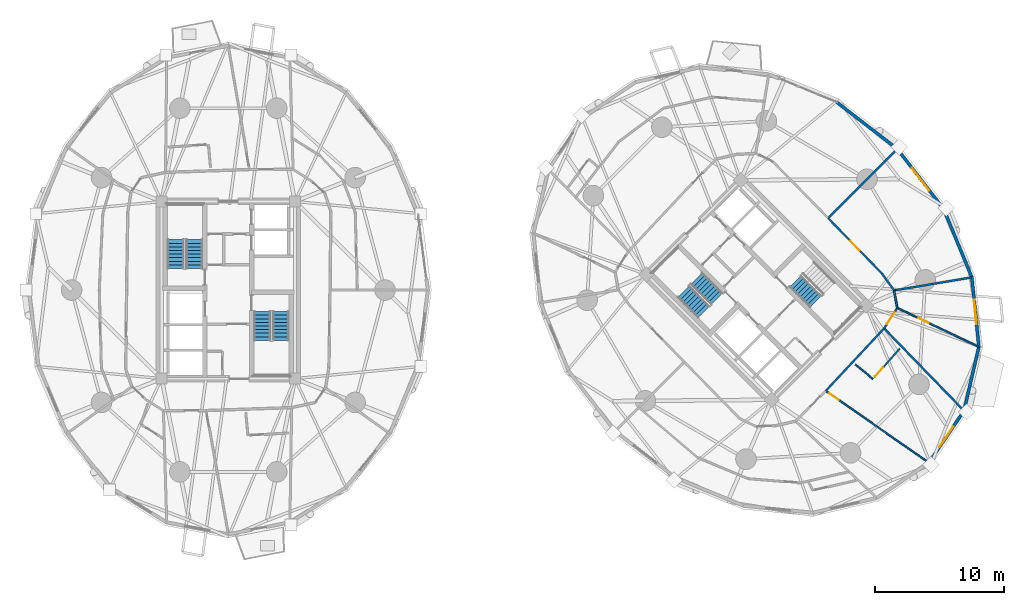
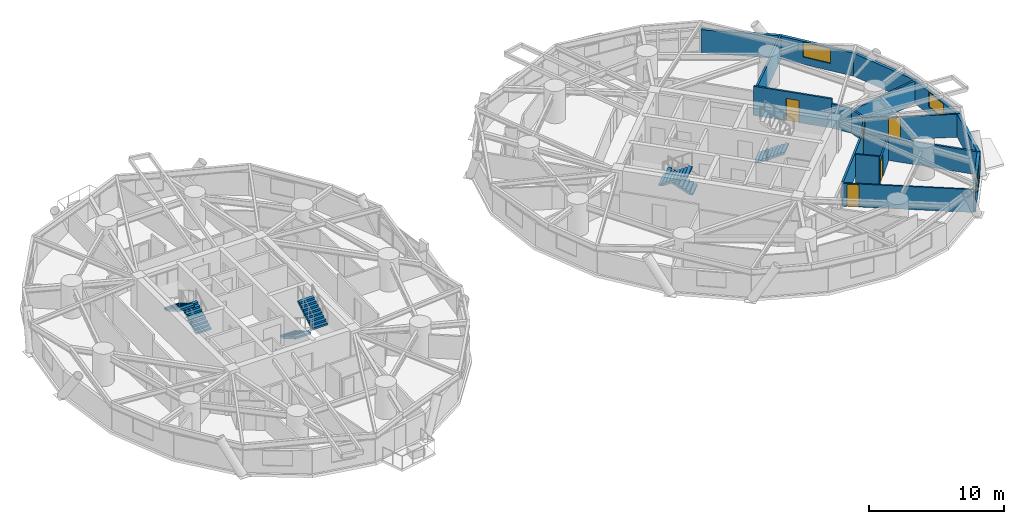
# One storey, part 16 of 20: 18 walls, 7 stair flights, 5 doors, 3 windows, 8 openings, 4 elements without a shape of their own.
"""IFC4 building model written with IfcOpenShell, lengths in metres."""

from ifc_helpers import new_model, si_unit, direction, frame, frame_2d, origin, place, context, subcontext, project, spatial, polyline, rectangle, outline, extrude, source, transform, mapped, material, layer, layer_set, type_object, element, fill, aggregate, save


model = new_model("IFC4")

# Units and contexts
model_context = context("Model", 3, precision=1e-05, world=origin(), true_north=direction((0.0, 1.0)))
body_context = subcontext(model_context, "Body", "Model", "MODEL_VIEW")
ifc_project = project(units=[si_unit("LENGTHUNIT", "METRE"), si_unit("AREAUNIT", "SQUARE_METRE"), si_unit("VOLUMEUNIT", "CUBIC_METRE"), si_unit("PLANEANGLEUNIT", "RADIAN"), si_unit("MASSUNIT", "GRAM", prefix="KILO")], contexts=[model_context])

# Site, building, storey
site_placement = place(None, origin())
site = spatial("IfcSite", under=ifc_project, at=site_placement, CompositionType="ELEMENT")
building_placement = place(site_placement, origin())
building = spatial("IfcBuilding", under=site, at=building_placement, Name="Cununo Teusaquillo Station Towers", CompositionType="ELEMENT")
storey_placement = place(building_placement, frame((0.0, 0.0, 39.4599609375)))
storey = spatial("IfcBuildingStorey", under=building, at=storey_placement, Name="L11", CompositionType="ELEMENT", Elevation=39.4599609375)

# Wall
ifc_material_1 = material(Name="Precast concrete C40/50", Category="concrete")
ifc_layer_1 = layer(ifc_material_1, 0.239990234375)
ifc_layer_set_1 = layer_set([ifc_layer_1], Name="Precast concrete C40/50")
wall_type_1 = type_object("IfcWallType", Name="WL-EXT-240", PredefinedType="SOLIDWALL", material=ifc_layer_set_1)
wall_1_placement = place(storey_placement, frame((63.77783203125, 39.068115234375, 0.0), z_axis=(0.0, 0.0, 1.0), x_axis=(0.792020182601, -0.610494906082, 0.0)))
element("IfcWall", 1, at=wall_1_placement, inside=storey, type_object=wall_type_1, Name="L11 Tower B Exterior Facade Wall C00", PredefinedType="SOLIDWALL", context=body_context, shape_type="SweptSolid", body=[
    extrude(rectangle(XDim=5.9111328125, YDim=0.239990234375, at=frame_2d((2.95556640625, 0.0))), origin(), (0.0, 0.0, 1.0), 2.072998046875),
])

# Wall, opening, window
wall_2_placement = place(storey_placement, frame((73.64404296875, 15.12939453125, 0.0), z_axis=(0.0, 0.0, 1.0), x_axis=(-0.559621532896, -0.828748297084, 0.0)))
wall_2 = element("IfcWall", 2, at=wall_2_placement, inside=storey, type_object=wall_type_1, Name="L11 Tower B Exterior Facade Wall C15", PredefinedType="SOLIDWALL", context=body_context, shape_type="SweptSolid", body=[
    extrude(rectangle(XDim=4.878662109375, YDim=0.239990234375, at=frame_2d((2.439453125, 0.0))), origin(), (0.0, 0.0, 1.0), 2.072998046875),
])
shared_shape_1 = source(origin(), body_context, "Body", "SweptSolid", [
    extrude(rectangle(XDim=1.89990234375, YDim=1.35009765625, at=frame_2d((0.949951171875, 0.675048828125))), frame((0.0, 0.1298828125, 0.0), z_axis=(0.0, -1.0, 0.0), x_axis=(1.0, 0.0, 0.0)), (0.0, 0.0, 1.0), 0.260009765625),
])
opening_1_placement = place(wall_2_placement, frame((1.489013671875, 0.0, 0.64990234375)))
opening_1 = element("IfcOpeningElement", 3, at=opening_1_placement, cuts=wall_2, Name="Opening WN-02", PredefinedType="OPENING", context=body_context, shape_type="MappedRepresentation", body=[
    mapped(shared_shape_1, transform((0.0, 0.0, 0.0), x_axis=(1.0, 0.0, 0.0), y_axis=(0.0, 1.0, 0.0), z_axis=(0.0, 0.0, 1.0), scale=1.0)),
])
ifc_material_2 = material(Name="Operable acoustic tinted low-E double glazing", Category="glass")
window_type_1 = type_object("IfcWindowType", Name="WIN-OPER-1900", PartitioningType="DOUBLE_PANEL_VERTICAL", PredefinedType="WINDOW", material=ifc_material_2)
shared_shape_2 = source(origin(), body_context, "Body", "SweptSolid", [
    extrude(rectangle(XDim=1.89990234375, YDim=1.35009765625, at=frame_2d((0.949951171875, 0.675048828125))), frame((0.0, 0.030029296875, 0.0), z_axis=(0.0, -1.0, 0.0), x_axis=(1.0, 0.0, 0.0)), (0.0, 0.0, 1.0), 0.06005859375),
])
window_1_placement = place(opening_1_placement, origin())
window_1 = element("IfcWindow", 4, at=window_1_placement, inside=storey, type_object=window_type_1, Name="L11 Tower B Facade Window C15", OverallHeight=1.35009765625, OverallWidth=1.89990234375, PartitioningType="DOUBLE_PANEL_VERTICAL", PredefinedType="WINDOW", context=body_context, shape_type="MappedRepresentation", body=[
    mapped(shared_shape_2, transform((0.0, 0.0, 0.0), x_axis=(1.0, 0.0, 0.0), y_axis=(0.0, 1.0, 0.0), z_axis=(0.0, 0.0, 1.0), scale=1.0)),
])
fill(opening_1, window_1)

# Wall
wall_3_placement = place(storey_placement, frame((74.7939453125, 20.08984375, 0.0), z_axis=(0.0, 0.0, 1.0), x_axis=(-0.22582585901, -0.974167686491, 0.0)))
element("IfcWall", 5, at=wall_3_placement, inside=storey, type_object=wall_type_1, Name="L11 Tower B Exterior Facade Wall C16", PredefinedType="SOLIDWALL", context=body_context, shape_type="SweptSolid", body=[
    extrude(rectangle(XDim=5.092041015625, YDim=0.239990234375, at=frame_2d((2.5458984375, 0.0))), origin(), (0.0, 0.0, 1.0), 2.072998046875),
])

# Wall, opening, window
wall_4_placement = place(storey_placement, frame((74.2509765625, 25.48193359375, 0.0), z_axis=(0.0, 0.0, 1.0), x_axis=(0.100190592135, -0.994968263437, 0.0)))
wall_4 = element("IfcWall", 6, at=wall_4_placement, inside=storey, type_object=wall_type_1, Name="L11 Tower B Exterior Facade Wall C17", PredefinedType="SOLIDWALL", context=body_context, shape_type="SweptSolid", body=[
    extrude(rectangle(XDim=5.41943359375, YDim=0.239990234375, at=frame_2d((2.709716796875, 0.0))), origin(), (0.0, 0.0, 1.0), 2.072998046875),
])
opening_2_placement = place(wall_4_placement, frame((1.760009765625, 0.0, 0.64990234375)))
opening_2 = element("IfcOpeningElement", 7, at=opening_2_placement, cuts=wall_4, Name="Opening WN-02", PredefinedType="OPENING", context=body_context, shape_type="MappedRepresentation", body=[
    mapped(shared_shape_1, transform((0.0, 0.0, 0.0), x_axis=(1.0, 0.0, 0.0), y_axis=(0.0, 1.0, 0.0), z_axis=(0.0, 0.0, 1.0), scale=1.0)),
])
window_2_placement = place(opening_2_placement, origin())
window_2 = element("IfcWindow", 8, at=window_2_placement, inside=storey, type_object=window_type_1, Name="L11 Tower B Facade Window C17", OverallHeight=1.35009765625, OverallWidth=1.89990234375, PartitioningType="DOUBLE_PANEL_VERTICAL", PredefinedType="WINDOW", context=body_context, shape_type="MappedRepresentation", body=[
    mapped(shared_shape_2, transform((0.0, 0.0, 0.0), x_axis=(1.0, 0.0, 0.0), y_axis=(0.0, 1.0, 0.0), z_axis=(0.0, 0.0, 1.0), scale=1.0)),
])
fill(opening_2, window_2)

# Wall
wall_5_placement = place(storey_placement, frame((72.068115234375, 30.77783203125, 0.0), z_axis=(0.0, 0.0, 1.0), x_axis=(0.381077764176, -0.924542988536, 0.0)))
element("IfcWall", 9, at=wall_5_placement, inside=storey, type_object=wall_type_1, Name="L11 Tower B Exterior Facade Wall C18", PredefinedType="SOLIDWALL", context=body_context, shape_type="SweptSolid", body=[
    extrude(rectangle(XDim=5.72802734375, YDim=0.239990234375, at=frame_2d((2.864013671875, 0.0))), origin(), (0.0, 0.0, 1.0), 2.072998046875),
])

# Wall, opening, window
wall_6_placement = place(storey_placement, frame((68.45947265625, 35.45947265625, 0.0), z_axis=(0.0, 0.0, 1.0), x_axis=(0.610494906082, -0.792020182601, 0.0)))
wall_6 = element("IfcWall", 10, at=wall_6_placement, inside=storey, type_object=wall_type_1, Name="L11 Tower B Exterior Facade Wall C19", PredefinedType="SOLIDWALL", context=body_context, shape_type="SweptSolid", body=[
    extrude(rectangle(XDim=5.9111328125, YDim=0.239990234375, at=frame_2d((2.95556640625, 0.0))), origin(), (0.0, 0.0, 1.0), 2.072998046875),
])
shared_shape_3 = source(origin(), body_context, "Body", "SweptSolid", [
    extrude(rectangle(XDim=2.199951171875, YDim=1.35009765625, at=frame_2d((1.10009765625, 0.675048828125))), frame((0.0, 0.1298828125, 0.0), z_axis=(0.0, -1.0, 0.0), x_axis=(1.0, 0.0, 0.0)), (0.0, 0.0, 1.0), 0.260009765625),
])
opening_3_placement = place(wall_6_placement, frame((1.85498046875, 0.0, 0.64990234375)))
opening_3 = element("IfcOpeningElement", 11, at=opening_3_placement, cuts=wall_6, Name="Opening WN-01", PredefinedType="OPENING", context=body_context, shape_type="MappedRepresentation", body=[
    mapped(shared_shape_3, transform((0.0, 0.0, 0.0), x_axis=(1.0, 0.0, 0.0), y_axis=(0.0, 1.0, 0.0), z_axis=(0.0, 0.0, 1.0), scale=1.0)),
])
ifc_material_3 = material(Name="Ceramic-fritted dark low-E double glazing", Category="glass")
window_type_2 = type_object("IfcWindowType", Name="WIN-FRIT-2200", PartitioningType="DOUBLE_PANEL_VERTICAL", PredefinedType="WINDOW", material=ifc_material_3)
shared_shape_4 = source(origin(), body_context, "Body", "SweptSolid", [
    extrude(rectangle(XDim=2.199951171875, YDim=1.35009765625, at=frame_2d((1.10009765625, 0.675048828125))), frame((0.0, 0.030029296875, 0.0), z_axis=(0.0, -1.0, 0.0), x_axis=(1.0, 0.0, 0.0)), (0.0, 0.0, 1.0), 0.06005859375),
])
window_3_placement = place(opening_3_placement, origin())
window_3 = element("IfcWindow", 12, at=window_3_placement, inside=storey, type_object=window_type_2, Name="L11 Tower B Facade Window C19", OverallHeight=1.35009765625, OverallWidth=2.199951171875, PartitioningType="DOUBLE_PANEL_VERTICAL", PredefinedType="WINDOW", context=body_context, shape_type="MappedRepresentation", body=[
    mapped(shared_shape_4, transform((0.0, 0.0, 0.0), x_axis=(1.0, 0.0, 0.0), y_axis=(0.0, 1.0, 0.0), z_axis=(0.0, 0.0, 1.0), scale=1.0)),
])
fill(opening_3, window_3)

# Wall, opening, door
ifc_material_4 = material(Name="Fire-rated gypsum plasterboard partition assembly", Category="gypsum")
ifc_layer_2 = layer(ifc_material_4, 0.125)
ifc_layer_set_2 = layer_set([ifc_layer_2], Name="Fire-rated gypsum plasterboard partition assembly")
wall_type_2 = type_object("IfcWallType", Name="WL-PART-125", PredefinedType="PARTITIONING", material=ifc_layer_set_2)
wall_7_placement = place(storey_placement, frame((62.902587890625, 16.66650390625, 0.0), z_axis=(0.0, 0.0, 1.0), x_axis=(0.820761665638, -0.571270766116, 0.0)))
wall_7 = element("IfcWall", 13, at=wall_7_placement, inside=storey, type_object=wall_type_2, Name="L11 Tower B Governor Hospitality Suite Suite Subdividing Wall", PredefinedType="PARTITIONING", context=body_context, shape_type="SweptSolid", body=[
    extrude(rectangle(XDim=9.743408203125, YDim=0.125, at=frame_2d((4.87158203125, 0.0))), origin(), (0.0, 0.0, 1.0), 2.072998046875),
])
shared_shape_5 = source(origin(), body_context, "Body", "SweptSolid", [
    extrude(rectangle(XDim=0.89990234375, YDim=2.0048828125, at=frame_2d((0.449951171875, 1.00244140625))), frame((0.0, 0.072509765625, 0.0), z_axis=(0.0, -1.0, 0.0), x_axis=(1.0, 0.0, 0.0)), (0.0, 0.0, 1.0), 0.14501953125),
])
opening_4_placement = place(wall_7_placement, frame((0.330078125, 0.0, 0.0)))
opening_4 = element("IfcOpeningElement", 14, at=opening_4_placement, cuts=wall_7, Name="Opening D-IN1", PredefinedType="OPENING", context=body_context, shape_type="MappedRepresentation", body=[
    mapped(shared_shape_5, transform((0.0, 0.0, 0.0), x_axis=(1.0, 0.0, 0.0), y_axis=(0.0, 1.0, 0.0), z_axis=(0.0, 0.0, 1.0), scale=1.0)),
])
ifc_material_5 = material(Name="Acoustic solid-core hardwood leaf assembly", Category="wood")
door_type_1 = type_object("IfcDoorType", Name="DR-INT-900", OperationType="NOTDEFINED", PredefinedType="DOOR", material=ifc_material_5)
shared_shape_6 = source(origin(), body_context, "Body", "SweptSolid", [
    extrude(rectangle(XDim=0.89990234375, YDim=2.0048828125, at=frame_2d((0.449951171875, 1.00244140625))), frame((0.0, 0.02490234375, 0.0), z_axis=(0.0, -1.0, 0.0), x_axis=(1.0, 0.0, 0.0)), (0.0, 0.0, 1.0), 0.050048828125),
])
door_1_placement = place(opening_4_placement, origin())
door_1 = element("IfcDoor", 15, at=door_1_placement, inside=storey, type_object=door_type_1, Name="L11 Tower B Governor Hospitality Suite Suite Connecting Door", OperationType="SINGLE_SWING_LEFT", OverallHeight=2.0048828125, OverallWidth=0.89990234375, PredefinedType="DOOR", context=body_context, shape_type="MappedRepresentation", body=[
    mapped(shared_shape_6, transform((0.0, 0.0, 0.0), x_axis=(1.0, 0.0, 0.0), y_axis=(0.0, 1.0, 0.0), z_axis=(0.0, 0.0, 1.0), scale=1.0)),
])
fill(opening_4, door_1)

# Wall
wall_8_placement = place(storey_placement, frame((65.202392578125, 18.721435546875, 0.0), z_axis=(0.0, 0.0, 1.0), x_axis=(0.769814202386, -0.638268042287, 0.0)))
element("IfcWall", 16, at=wall_8_placement, inside=storey, type_object=wall_type_2, Name="L11 Tower B S05 En-suite Side Wall", PredefinedType="PARTITIONING", context=body_context, shape_type="SweptSolid", body=[
    extrude(rectangle(XDim=1.768798828125, YDim=0.125, at=frame_2d((0.88427734375, 0.0))), origin(), (0.0, 0.0, 1.0), 2.635009765625),
])

# Wall, opening, door
wall_9_placement = place(storey_placement, frame((66.667236328125, 17.70947265625, 0.0), z_axis=(0.0, 0.0, 1.0), x_axis=(0.662510581678, 0.749052554341, 0.0)))
wall_9 = element("IfcWall", 17, at=wall_9_placement, inside=storey, type_object=wall_type_2, Name="L11 Tower B S05 En-suite Back Wall", PredefinedType="PARTITIONING", context=body_context, shape_type="SweptSolid", body=[
    extrude(rectangle(XDim=2.99609375, YDim=0.125, at=frame_2d((1.498046875, 0.0))), origin(), (0.0, 0.0, 1.0), 2.158935546875),
])
opening_5_placement = place(wall_9_placement, frame((0.1201171875, 0.0, 0.0)))
opening_5 = element("IfcOpeningElement", 18, at=opening_5_placement, cuts=wall_9, Name="Opening D-IN1", PredefinedType="OPENING", context=body_context, shape_type="MappedRepresentation", body=[
    mapped(shared_shape_5, transform((0.0, 0.0, 0.0), x_axis=(1.0, 0.0, 0.0), y_axis=(0.0, 1.0, 0.0), z_axis=(0.0, 0.0, 1.0), scale=1.0)),
])
door_2_placement = place(opening_5_placement, origin())
door_2 = element("IfcDoor", 19, at=door_2_placement, inside=storey, type_object=door_type_1, Name="L11 Tower B S05 En-suite Bathroom Door", OperationType="SINGLE_SWING_RIGHT", OverallHeight=2.0048828125, OverallWidth=0.89990234375, PredefinedType="DOOR", context=body_context, shape_type="MappedRepresentation", body=[
    mapped(shared_shape_6, transform((0.0, 0.0, 0.0), x_axis=(1.0, 0.0, 0.0), y_axis=(0.0, 1.0, 0.0), z_axis=(0.0, 0.0, 1.0), scale=1.0)),
])
fill(opening_5, door_2)

wall_10_placement = place(storey_placement, frame((68.45556640625, 23.109619140625, 0.0), z_axis=(0.0, 0.0, 1.0), x_axis=(0.902430819297, -0.430834790125, 0.0)))
wall_10 = element("IfcWall", 20, at=wall_10_placement, inside=storey, type_object=wall_type_2, Name="L11 Tower B Hotel Housekeeping & Linen Pantry Suite Subdividing Wall", PredefinedType="PARTITIONING", context=body_context, shape_type="SweptSolid", body=[
    extrude(rectangle(XDim=7.001708984375, YDim=0.125, at=frame_2d((3.5009765625, 0.0))), origin(), (0.0, 0.0, 1.0), 2.072998046875),
])
opening_6_placement = place(wall_10_placement, frame((1.800048828125, 0.0, 0.0)))
opening_6 = element("IfcOpeningElement", 21, at=opening_6_placement, cuts=wall_10, Name="Opening D-IN1", PredefinedType="OPENING", context=body_context, shape_type="MappedRepresentation", body=[
    mapped(shared_shape_5, transform((0.0, 0.0, 0.0), x_axis=(1.0, 0.0, 0.0), y_axis=(0.0, 1.0, 0.0), z_axis=(0.0, 0.0, 1.0), scale=1.0)),
])
door_3_placement = place(opening_6_placement, origin())
door_3 = element("IfcDoor", 22, at=door_3_placement, inside=storey, type_object=door_type_1, Name="L11 Tower B Hotel Housekeeping & Linen Pantry Suite Connecting Door", OperationType="SINGLE_SWING_RIGHT", OverallHeight=2.0048828125, OverallWidth=0.89990234375, PredefinedType="DOOR", context=body_context, shape_type="MappedRepresentation", body=[
    mapped(shared_shape_6, transform((0.0, 0.0, 0.0), x_axis=(1.0, 0.0, 0.0), y_axis=(0.0, 1.0, 0.0), z_axis=(0.0, 0.0, 1.0), scale=1.0)),
])
fill(opening_6, door_3)

# Wall
ifc_material_6 = material(Name="Fire-rated gypsum plasterboard partition assembly", Category="gypsum")
ifc_layer_3 = layer(ifc_material_6, 0.14990234375)
ifc_layer_set_3 = layer_set([ifc_layer_3], Name="Fire-rated gypsum plasterboard partition assembly")
wall_type_3 = type_object("IfcWallType", Name="WL-PART-150", PredefinedType="PARTITIONING", material=ifc_layer_set_3)
wall_11_placement = place(storey_placement, frame((62.902587890625, 16.66650390625, 0.0), z_axis=(0.0, 0.0, 1.0), x_axis=(0.682371947497, 0.731005147225, 0.0)))
element("IfcWall", 23, at=wall_11_placement, inside=storey, type_object=wall_type_3, Name="L11 Tower B Corridor Ring Wall C15", PredefinedType="PARTITIONING", context=body_context, shape_type="SweptSolid", body=[
    extrude(rectangle(XDim=6.6416015625, YDim=0.14990234375, at=frame_2d((3.32080078125, 0.0))), origin(), (0.0, 0.0, 1.0), 2.158935546875),
])

# Wall, opening, door
wall_12_placement = place(storey_placement, frame((67.4345703125, 21.521484375, 0.0), z_axis=(0.0, 0.0, 1.0), x_axis=(0.540777197838, 0.841165870859, 0.0)))
wall_12 = element("IfcWall", 24, at=wall_12_placement, inside=storey, type_object=wall_type_3, Name="L11 Tower B Corridor Ring Wall C16", PredefinedType="PARTITIONING", context=body_context, shape_type="SweptSolid", body=[
    extrude(rectangle(XDim=1.887939453125, YDim=0.14990234375, at=frame_2d((0.94384765625, 0.0))), origin(), (0.0, 0.0, 1.0), 2.205078125),
])
shared_shape_7 = source(origin(), body_context, "Body", "SweptSolid", [
    extrude(rectangle(XDim=1.050048828125, YDim=2.014892578125, at=frame_2d((0.52490234375, 1.00732421875))), frame((0.0, 0.0849609375, 0.0), z_axis=(0.0, -1.0, 0.0), x_axis=(1.0, 0.0, 0.0)), (0.0, 0.0, 1.0), 0.169921875),
])
opening_7_placement = place(wall_12_placement, frame((0.4189453125, 0.0, 0.0)))
opening_7 = element("IfcOpeningElement", 25, at=opening_7_placement, cuts=wall_12, Name="Opening D-SU1", PredefinedType="OPENING", context=body_context, shape_type="MappedRepresentation", body=[
    mapped(shared_shape_7, transform((0.0, 0.0, 0.0), x_axis=(1.0, 0.0, 0.0), y_axis=(0.0, 1.0, 0.0), z_axis=(0.0, 0.0, 1.0), scale=1.0)),
])
ifc_material_7 = material(Name="Acoustic solid-core hardwood leaf assembly", Category="wood")
door_type_2 = type_object("IfcDoorType", Name="DR-SUITE-1050", OperationType="NOTDEFINED", PredefinedType="DOOR", material=ifc_material_7)
shared_shape_8 = source(origin(), body_context, "Body", "SweptSolid", [
    extrude(rectangle(XDim=1.050048828125, YDim=2.014892578125, at=frame_2d((0.52490234375, 1.00732421875))), frame((0.0, 0.02490234375, 0.0), z_axis=(0.0, -1.0, 0.0), x_axis=(1.0, 0.0, 0.0)), (0.0, 0.0, 1.0), 0.050048828125),
])
door_4_placement = place(opening_7_placement, origin())
door_4 = element("IfcDoor", 26, at=door_4_placement, inside=storey, type_object=door_type_2, Name="L11 Tower B Hotel Housekeeping & Linen Pantry Entrance Door", OperationType="SINGLE_SWING_LEFT", OverallHeight=2.014892578125, OverallWidth=1.050048828125, PredefinedType="DOOR", context=body_context, shape_type="MappedRepresentation", body=[
    mapped(shared_shape_8, transform((0.0, 0.0, 0.0), x_axis=(1.0, 0.0, 0.0), y_axis=(0.0, 1.0, 0.0), z_axis=(0.0, 0.0, 1.0), scale=1.0)),
])
fill(opening_7, door_4)

# Walls
wall_13_placement = place(storey_placement, frame((68.45556640625, 23.109619140625, 0.0), z_axis=(0.0, 0.0, 1.0), x_axis=(-0.1772522795, 0.984165448191, 0.0)))
element("IfcWall", 27, at=wall_13_placement, inside=storey, type_object=wall_type_3, Name="L11 Tower B Corridor Ring Wall C17", PredefinedType="PARTITIONING", context=body_context, shape_type="SweptSolid", body=[
    extrude(rectangle(XDim=1.381591796875, YDim=0.14990234375, at=frame_2d((0.69091796875, 0.0))), origin(), (0.0, 0.0, 1.0), 2.158935546875),
])
wall_14_placement = place(storey_placement, frame((68.210693359375, 24.46923828125, 0.0), z_axis=(0.0, 0.0, 1.0), x_axis=(-0.583012141368, 0.812463441034, 0.0)))
element("IfcWall", 28, at=wall_14_placement, inside=storey, type_object=wall_type_3, Name="L11 Tower B Corridor Ring Wall C18", PredefinedType="PARTITIONING", context=body_context, shape_type="SweptSolid", body=[
    extrude(rectangle(XDim=1.613037109375, YDim=0.14990234375, at=frame_2d((0.806640625, 0.0))), origin(), (0.0, 0.0, 1.0), 2.205078125),
])

# Wall, opening, door
wall_15_placement = place(storey_placement, frame((67.270263671875, 25.77978515625, 0.0), z_axis=(0.0, 0.0, 1.0), x_axis=(-0.696847842907, 0.717218992942, 0.0)))
wall_15 = element("IfcWall", 29, at=wall_15_placement, inside=storey, type_object=wall_type_3, Name="L11 Tower B Corridor Ring Wall C19", PredefinedType="PARTITIONING", context=body_context, shape_type="SweptSolid", body=[
    extrude(rectangle(XDim=6.00439453125, YDim=0.14990234375, at=frame_2d((3.002197265625, 0.0))), origin(), (0.0, 0.0, 1.0), 2.635009765625),
])
shared_shape_9 = source(origin(), body_context, "Body", "SweptSolid", [
    extrude(rectangle(XDim=1.0, YDim=2.014892578125, at=frame_2d((0.5, 1.00732421875))), frame((0.0, 0.0849609375, 0.0), z_axis=(0.0, -1.0, 0.0), x_axis=(1.0, 0.0, 0.0)), (0.0, 0.0, 1.0), 0.169921875),
])
opening_8_placement = place(wall_15_placement, frame((2.502197265625, 0.0, 0.0)))
opening_8 = element("IfcOpeningElement", 30, at=opening_8_placement, cuts=wall_15, Name="Opening D-AC1", PredefinedType="OPENING", context=body_context, shape_type="MappedRepresentation", body=[
    mapped(shared_shape_9, transform((0.0, 0.0, 0.0), x_axis=(1.0, 0.0, 0.0), y_axis=(0.0, 1.0, 0.0), z_axis=(0.0, 0.0, 1.0), scale=1.0)),
])
ifc_material_8 = material(Name="Acoustic solid-core hardwood leaf assembly", Category="wood")
door_type_3 = type_object("IfcDoorType", Name="DR-ACC-1000", OperationType="NOTDEFINED", PredefinedType="DOOR", material=ifc_material_8)
shared_shape_10 = source(origin(), body_context, "Body", "SweptSolid", [
    extrude(rectangle(XDim=1.0, YDim=2.014892578125, at=frame_2d((0.5, 1.00732421875))), frame((0.0, 0.02490234375, 0.0), z_axis=(0.0, -1.0, 0.0), x_axis=(1.0, 0.0, 0.0)), (0.0, 0.0, 1.0), 0.050048828125),
])
door_5_placement = place(opening_8_placement, origin())
door_5 = element("IfcDoor", 31, at=door_5_placement, inside=storey, type_object=door_type_3, Name="L11 Tower B Public Accessible Restroom WC Entrance Door", OperationType="SINGLE_SWING_LEFT", OverallHeight=2.014892578125, OverallWidth=1.0, PredefinedType="DOOR", context=body_context, shape_type="MappedRepresentation", body=[
    mapped(shared_shape_10, transform((0.0, 0.0, 0.0), x_axis=(1.0, 0.0, 0.0), y_axis=(0.0, 1.0, 0.0), z_axis=(0.0, 0.0, 1.0), scale=1.0)),
])
fill(opening_8, door_5)

# Walls
ifc_material_9 = material(Name="Fire-rated gypsum plasterboard partition assembly", Category="gypsum")
ifc_layer_4 = layer(ifc_material_9, 0.159912109375)
ifc_layer_set_4 = layer_set([ifc_layer_4], Name="Fire-rated gypsum plasterboard partition assembly")
wall_type_4 = type_object("IfcWallType", Name="WL-PART-160", PredefinedType="PARTITIONING", material=ifc_layer_set_4)
wall_16_placement = place(storey_placement, frame((63.086181640625, 30.086181640625, 0.0), z_axis=(0.0, 0.0, 1.0), x_axis=(0.707106781187, 0.707106781187, 0.0)))
element("IfcWall", 32, at=wall_16_placement, inside=storey, type_object=wall_type_4, Name="L11 Tower B Radial Suite Partition R01", PredefinedType="PARTITIONING", context=body_context, shape_type="SweptSolid", body=[
    extrude(rectangle(XDim=7.578857421875, YDim=0.159912109375, at=frame_2d((3.78955078125, 0.0))), origin(), (0.0, 0.0, 1.0), 2.072998046875),
])
wall_17_placement = place(storey_placement, frame((67.4345703125, 21.521484375, 0.0), z_axis=(0.0, 0.0, 1.0), x_axis=(0.6962628802, -0.717786877601, 0.0)))
element("IfcWall", 33, at=wall_17_placement, inside=storey, type_object=wall_type_4, Name="L11 Tower B Radial Suite Partition R07", PredefinedType="PARTITIONING", context=body_context, shape_type="SweptSolid", body=[
    extrude(rectangle(XDim=8.892578125, YDim=0.159912109375, at=frame_2d((4.4462890625, 0.0))), origin(), (0.0, 0.0, 1.0), 2.072998046875),
])
wall_18_placement = place(storey_placement, frame((68.210693359375, 24.46923828125, 0.0), z_axis=(0.0, 0.0, 1.0), x_axis=(0.986231309699, 0.165371713934, 0.0)))
element("IfcWall", 34, at=wall_18_placement, inside=storey, type_object=wall_type_4, Name="L11 Tower B Radial Suite Partition R08", PredefinedType="PARTITIONING", context=body_context, shape_type="SweptSolid", body=[
    extrude(rectangle(XDim=6.1044921875, YDim=0.159912109375, at=frame_2d((3.05224609375, 0.0))), origin(), (0.0, 0.0, 1.0), 2.072998046875),
])

# Stair, stair flights
ifc_material_10 = material(Name="Concrete C50/60", Category="concrete")
stair_type = type_object("IfcStairType", Name="ST-TWR-1300", PredefinedType="HALF_TURN_STAIR", material=ifc_material_10)
stair_1_placement = place(storey_placement, origin())
stair_1 = element("IfcStair", 35, at=stair_1_placement, inside=storey, type_object=stair_type, Name="L11 Tower A Protected Core Exit Stair 1", PredefinedType="HALF_TURN_STAIR")
ifc_material_11 = material(Name="Concrete C50/60", Category="concrete")
stair_flight_type = type_object("IfcStairFlightType", Name="SFL-TWR-1300", PredefinedType="STRAIGHT", material=ifc_material_11)
stair_flight_1_placement = place(storey_placement, frame((13.8701171875, 26.169921875, 0.0), z_axis=(0.0, 0.0, 1.0), x_axis=(0.0, 1.0, 0.0)))
stair_flight_1 = element("IfcStairFlight", 36, at=stair_flight_1_placement, type_object=stair_flight_type, Name="ST-T1-1 flight 1", NumberOfRisers=9, NumberOfTreads=8, PredefinedType="STRAIGHT", RiserHeight=0.161666667, TreadLength=0.28, context=body_context, shape_type="SweptSolid", body=[
    extrude(outline(polyline([(0.0, 0.0), (0.0, 0.16162109375), (0.280029296875, 0.16162109375), (0.280029296875, 0.3232421875), (0.56005859375, 0.3232421875), (0.56005859375, 0.485107421875), (0.840087890625, 0.485107421875), (0.840087890625, 0.646728515625), (1.1201171875, 0.646728515625), (1.1201171875, 0.808349609375), (1.39990234375, 0.808349609375), (1.39990234375, 0.969970703125), (1.679931640625, 0.969970703125), (1.679931640625, 1.131591796875), (1.9599609375, 1.131591796875), (1.9599609375, 1.293212890625), (2.239990234375, 1.293212890625), (2.239990234375, 1.455078125), (2.239990234375, 1.1201171875), (0.2998046875, 0.0), (0.0, 0.0)])), frame((0.0, 0.64990234375, 0.0), z_axis=(0.0, -1.0, 0.0), x_axis=(1.0, 0.0, 0.0)), (0.0, 0.0, 1.0), 1.300048828125),
])
stair_flight_2_placement = place(storey_placement, frame((12.409912109375, 28.409912109375, 1.455078125), z_axis=(0.0, 0.0, 1.0), x_axis=(0.0, -1.0, 0.0)))
stair_flight_2 = element("IfcStairFlight", 37, at=stair_flight_2_placement, type_object=stair_flight_type, Name="ST-T1-1 flight 2", NumberOfRisers=9, NumberOfTreads=8, PredefinedType="STRAIGHT", RiserHeight=0.161666667, TreadLength=0.28, context=body_context, shape_type="SweptSolid", body=[
    extrude(outline(polyline([(0.0, 0.0), (0.0, 0.16162109375), (0.280029296875, 0.16162109375), (0.280029296875, 0.3232421875), (0.56005859375, 0.3232421875), (0.56005859375, 0.485107421875), (0.840087890625, 0.485107421875), (0.840087890625, 0.646728515625), (1.1201171875, 0.646728515625), (1.1201171875, 0.808349609375), (1.39990234375, 0.808349609375), (1.39990234375, 0.969970703125), (1.679931640625, 0.969970703125), (1.679931640625, 1.131591796875), (1.9599609375, 1.131591796875), (1.9599609375, 1.293212890625), (2.239990234375, 1.293212890625), (2.239990234375, 1.455078125), (2.239990234375, 1.1201171875), (0.2998046875, 0.0), (0.0, 0.0)])), frame((0.0, 0.64990234375, 0.0), z_axis=(0.0, -1.0, 0.0), x_axis=(1.0, 0.0, 0.0)), (0.0, 0.0, 1.0), 1.300048828125),
])
aggregate(stair_1, [stair_flight_1, stair_flight_2])

stair_2_placement = place(storey_placement, origin())
stair_2 = element("IfcStair", 38, at=stair_2_placement, inside=storey, type_object=stair_type, Name="L11 Tower A Protected Core Exit Stair 2", PredefinedType="HALF_TURN_STAIR")
stair_flight_3_placement = place(storey_placement, frame((19.1298828125, 22.830078125, 0.0), z_axis=(0.0, 0.0, 1.0), x_axis=(0.0, -1.0, 0.0)))
stair_flight_3 = element("IfcStairFlight", 39, at=stair_flight_3_placement, type_object=stair_flight_type, Name="ST-T1-2 flight 1", NumberOfRisers=9, NumberOfTreads=8, PredefinedType="STRAIGHT", RiserHeight=0.161666667, TreadLength=0.28, context=body_context, shape_type="SweptSolid", body=[
    extrude(outline(polyline([(0.0, 0.0), (0.0, 0.16162109375), (0.280029296875, 0.16162109375), (0.280029296875, 0.3232421875), (0.56005859375, 0.3232421875), (0.56005859375, 0.485107421875), (0.840087890625, 0.485107421875), (0.840087890625, 0.646728515625), (1.1201171875, 0.646728515625), (1.1201171875, 0.808349609375), (1.39990234375, 0.808349609375), (1.39990234375, 0.969970703125), (1.679931640625, 0.969970703125), (1.679931640625, 1.131591796875), (1.9599609375, 1.131591796875), (1.9599609375, 1.293212890625), (2.239990234375, 1.293212890625), (2.239990234375, 1.455078125), (2.239990234375, 1.1201171875), (0.2998046875, 0.0), (0.0, 0.0)])), frame((0.0, 0.64990234375, 0.0), z_axis=(0.0, -1.0, 0.0), x_axis=(1.0, 0.0, 0.0)), (0.0, 0.0, 1.0), 1.300048828125),
])
stair_flight_4_placement = place(storey_placement, frame((20.590087890625, 20.590087890625, 1.455078125), z_axis=(0.0, 0.0, 1.0), x_axis=(0.0, 1.0, 0.0)))
stair_flight_4 = element("IfcStairFlight", 40, at=stair_flight_4_placement, type_object=stair_flight_type, Name="ST-T1-2 flight 2", NumberOfRisers=9, NumberOfTreads=8, PredefinedType="STRAIGHT", RiserHeight=0.161666667, TreadLength=0.28, context=body_context, shape_type="SweptSolid", body=[
    extrude(outline(polyline([(0.0, 0.0), (0.0, 0.16162109375), (0.280029296875, 0.16162109375), (0.280029296875, 0.3232421875), (0.56005859375, 0.3232421875), (0.56005859375, 0.485107421875), (0.840087890625, 0.485107421875), (0.840087890625, 0.646728515625), (1.1201171875, 0.646728515625), (1.1201171875, 0.808349609375), (1.39990234375, 0.808349609375), (1.39990234375, 0.969970703125), (1.679931640625, 0.969970703125), (1.679931640625, 1.131591796875), (1.9599609375, 1.131591796875), (1.9599609375, 1.293212890625), (2.239990234375, 1.293212890625), (2.239990234375, 1.455078125), (2.239990234375, 1.1201171875), (0.2998046875, 0.0), (0.0, 0.0)])), frame((0.0, 0.64990234375, 0.0), z_axis=(0.0, -1.0, 0.0), x_axis=(1.0, 0.0, 0.0)), (0.0, 0.0, 1.0), 1.300048828125),
])
aggregate(stair_2, [stair_flight_3, stair_flight_4])

stair_3_placement = place(storey_placement, origin())
stair_3 = element("IfcStair", 41, at=stair_3_placement, inside=storey, type_object=stair_type, Name="L11 Tower B Protected Core Exit Stair 1", PredefinedType="HALF_TURN_STAIR")
stair_flight_5_placement = place(storey_placement, frame((54.45947265625, 23.8212890625, 0.0), z_axis=(0.0, 0.0, 1.0), x_axis=(-0.707106781187, 0.707106781187, 0.0)))
stair_flight_5 = element("IfcStairFlight", 42, at=stair_flight_5_placement, type_object=stair_flight_type, Name="ST-T2-1 flight 1", NumberOfRisers=9, NumberOfTreads=8, PredefinedType="STRAIGHT", RiserHeight=0.161666667, TreadLength=0.28, context=body_context, shape_type="SweptSolid", body=[
    extrude(outline(polyline([(0.0, 0.0), (0.0, 0.16162109375), (0.280029296875, 0.16162109375), (0.280029296875, 0.3232421875), (0.56005859375, 0.3232421875), (0.56005859375, 0.485107421875), (0.840087890625, 0.485107421875), (0.840087890625, 0.646728515625), (1.1201171875, 0.646728515625), (1.1201171875, 0.808349609375), (1.39990234375, 0.808349609375), (1.39990234375, 0.969970703125), (1.679931640625, 0.969970703125), (1.679931640625, 1.131591796875), (1.9599609375, 1.131591796875), (1.9599609375, 1.293212890625), (2.239990234375, 1.293212890625), (2.239990234375, 1.455078125), (2.239990234375, 1.1201171875), (0.2998046875, 0.0), (0.0, 0.0)])), frame((0.0, 0.64990234375, 0.0), z_axis=(0.0, -1.0, 0.0), x_axis=(1.0, 0.0, 0.0)), (0.0, 0.0, 1.0), 1.300048828125),
])
stair_flight_6_placement = place(storey_placement, frame((51.84326171875, 24.372802734375, 1.455078125), z_axis=(0.0, 0.0, 1.0), x_axis=(0.707106781187, -0.707106781187, 0.0)))
stair_flight_6 = element("IfcStairFlight", 43, at=stair_flight_6_placement, type_object=stair_flight_type, Name="ST-T2-1 flight 2", NumberOfRisers=9, NumberOfTreads=8, PredefinedType="STRAIGHT", RiserHeight=0.161666667, TreadLength=0.28, context=body_context, shape_type="SweptSolid", body=[
    extrude(outline(polyline([(0.0, 0.0), (0.0, 0.16162109375), (0.280029296875, 0.16162109375), (0.280029296875, 0.3232421875), (0.56005859375, 0.3232421875), (0.56005859375, 0.485107421875), (0.840087890625, 0.485107421875), (0.840087890625, 0.646728515625), (1.1201171875, 0.646728515625), (1.1201171875, 0.808349609375), (1.39990234375, 0.808349609375), (1.39990234375, 0.969970703125), (1.679931640625, 0.969970703125), (1.679931640625, 1.131591796875), (1.9599609375, 1.131591796875), (1.9599609375, 1.293212890625), (2.239990234375, 1.293212890625), (2.239990234375, 1.455078125), (2.239990234375, 1.1201171875), (0.2998046875, 0.0), (0.0, 0.0)])), frame((0.0, 0.64990234375, 0.0), z_axis=(0.0, -1.0, 0.0), x_axis=(1.0, 0.0, 0.0)), (0.0, 0.0, 1.0), 1.300048828125),
])
aggregate(stair_3, [stair_flight_5, stair_flight_6])

# Stair, stair flight
stair_4_placement = place(storey_placement, origin())
stair_4 = element("IfcStair", 44, at=stair_4_placement, inside=storey, type_object=stair_type, Name="L11 Tower B Protected Core Exit Stair 2", PredefinedType="HALF_TURN_STAIR")
stair_flight_7_placement = place(storey_placement, frame((60.54052734375, 25.1787109375, 0.0), z_axis=(0.0, 0.0, 1.0), x_axis=(0.707106781187, -0.707106781187, 0.0)))
stair_flight_7 = element("IfcStairFlight", 45, at=stair_flight_7_placement, type_object=stair_flight_type, Name="ST-T2-2 flight 1", NumberOfRisers=9, NumberOfTreads=8, PredefinedType="STRAIGHT", RiserHeight=0.161666667, TreadLength=0.28, context=body_context, shape_type="SweptSolid", body=[
    extrude(outline(polyline([(0.0, 0.0), (0.0, 0.16162109375), (0.280029296875, 0.16162109375), (0.280029296875, 0.3232421875), (0.56005859375, 0.3232421875), (0.56005859375, 0.485107421875), (0.840087890625, 0.485107421875), (0.840087890625, 0.646728515625), (1.1201171875, 0.646728515625), (1.1201171875, 0.808349609375), (1.39990234375, 0.808349609375), (1.39990234375, 0.969970703125), (1.679931640625, 0.969970703125), (1.679931640625, 1.131591796875), (1.9599609375, 1.131591796875), (1.9599609375, 1.293212890625), (2.239990234375, 1.293212890625), (2.239990234375, 1.455078125), (2.239990234375, 1.1201171875), (0.2998046875, 0.0), (0.0, 0.0)])), frame((0.0, 0.64990234375, 0.0), z_axis=(0.0, -1.0, 0.0), x_axis=(1.0, 0.0, 0.0)), (0.0, 0.0, 1.0), 1.300048828125),
])
aggregate(stair_4, [stair_flight_7])

save(model, "model.ifc")
